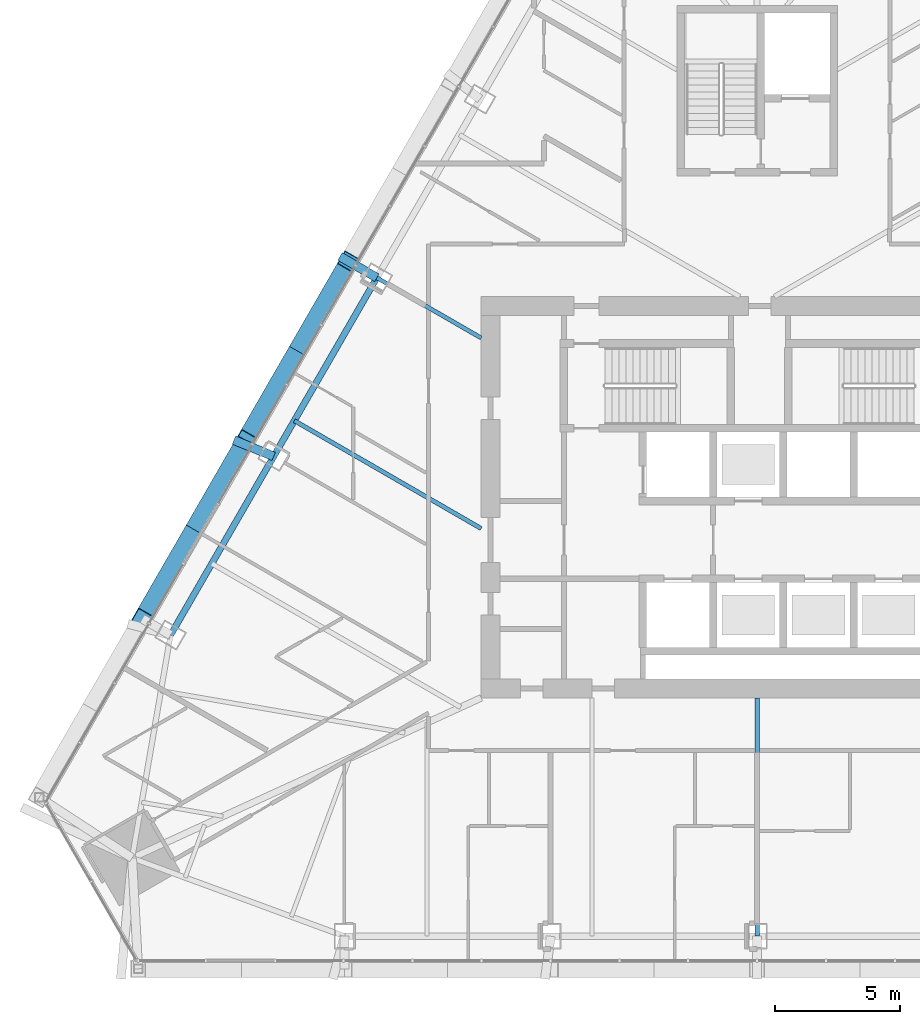
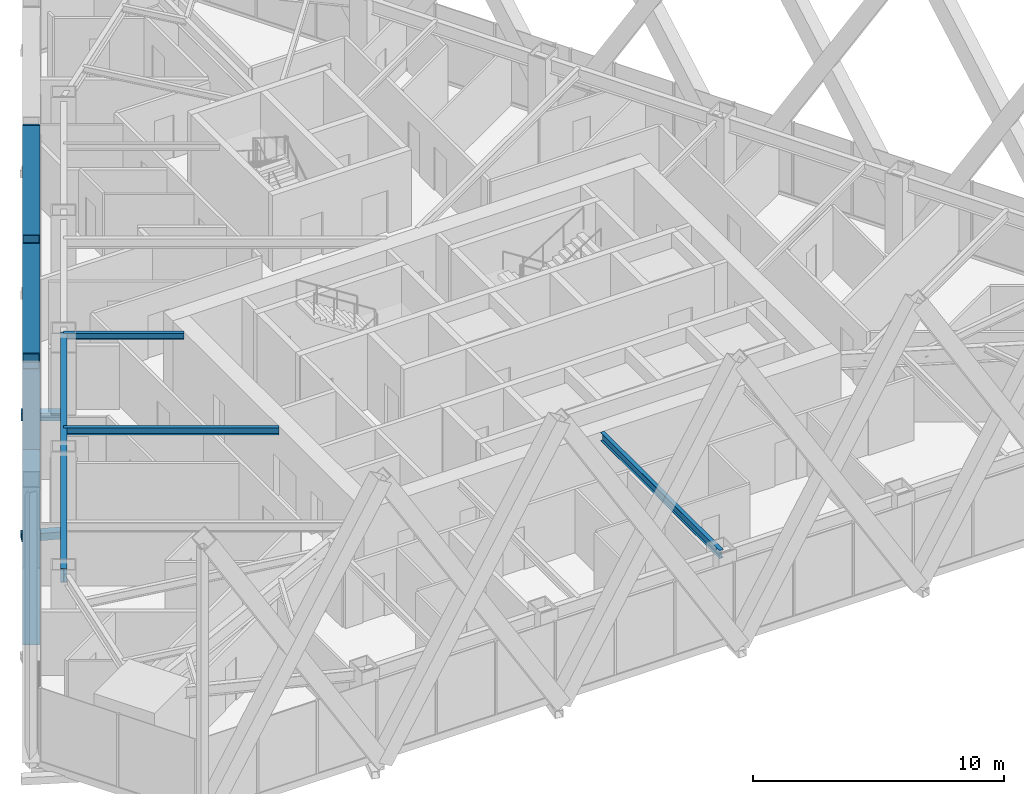
# One storey, part 4 of 19: 6 members, 4 beams.
"""IFC4 building model written with IfcOpenShell, lengths in metres."""

from ifc_helpers import new_model, si_unit, direction, frame, origin, origin_2d, place, context, subcontext, project, spatial, hollow_rectangle, i_section, extrude, material, material_profile, profile_set, type_object, element, save


model = new_model("IFC4")

# Units and contexts
model_context = context("Model", 3, precision=1e-05, world=origin(), true_north=direction((0.0, 1.0)))
body_context = subcontext(model_context, "Body", "Model", "MODEL_VIEW")
ifc_project = project(units=[si_unit("LENGTHUNIT", "METRE"), si_unit("AREAUNIT", "SQUARE_METRE"), si_unit("VOLUMEUNIT", "CUBIC_METRE"), si_unit("PLANEANGLEUNIT", "RADIAN"), si_unit("MASSUNIT", "GRAM", prefix="KILO")], contexts=[model_context])

# Site, building, storey
site_placement = place(None, origin())
site = spatial("IfcSite", under=ifc_project, at=site_placement, CompositionType="ELEMENT")
building_placement = place(site_placement, origin())
building = spatial("IfcBuilding", under=site, at=building_placement, Name="Firuza Gate Tower and Library", CompositionType="ELEMENT")
storey_placement = place(building_placement, frame((0.0, 0.0, 233.800048828125)))
storey = spatial("IfcBuildingStorey", under=building, at=storey_placement, Name="L55", CompositionType="ELEMENT", Elevation=233.800048828125)

# Members
ifc_material_1 = material(Name="Steel S355", Category="steel")
ifc_material_profile_1 = material_profile(ifc_material_1, hollow_rectangle(XDim=0.699951171875, YDim=0.699951171875, WallThickness=0.030029296875, at=origin_2d()))
ifc_profile_set_1 = profile_set([ifc_material_profile_1], Name="Steel S355")
member_type_1 = type_object("IfcMemberType", Name="BU700x700x30 Lattice brace", PredefinedType="BRACE", material=ifc_profile_set_1)
for number, where, z_axis, x_axis, name in (
    (1, (58.71533203125, 84.402099609375, 0.0), (-0.256001119482, -0.443405002033, 0.858985116865), (0.866024454709, -0.500001643842, 0.0), "Lattice brace W 13.4R"),
    (2, (54.6025390625, 77.278564453125, 0.0), (0.256001119482, 0.443405002033, 0.858985116865), (-0.866024454709, 0.500001643842, 0.0), "Lattice brace W 13.4L"),
    (3, (54.6025390625, 77.278564453125, 0.0), (-0.256001119482, -0.443405002033, 0.858985116865), (0.866024454709, -0.500001643842, 0.0), "Lattice brace W 13.5R"),
    (4, (50.48974609375, 70.155029296875, 0.0), (0.256001119482, 0.443405002033, 0.858985116865), (-0.866024454709, 0.500001643842, 0.0), "Lattice brace W 13.5L"),
):
    element("IfcMember", number, at=place(storey_placement, frame(where, z_axis=z_axis, x_axis=x_axis)), inside=storey, type_object=member_type_1, Name=name, PredefinedType="BRACE", context=body_context, shape_type="SweptSolid", body=[
        extrude(hollow_rectangle(XDim=0.699951171875, YDim=0.699951171875, WallThickness=0.030029296875, at=origin_2d()), origin(), (0.0, 0.0, 1.0), 16.0654296875),
    ])
ifc_material_2 = material(Name="Steel S355", Category="steel")
ifc_material_profile_2 = material_profile(ifc_material_2, hollow_rectangle(XDim=0.355712890625, YDim=0.355712890625, WallThickness=0.014892578125, at=origin_2d()))
ifc_profile_set_2 = profile_set([ifc_material_profile_2], Name="Steel S355")
member_type_2 = type_object("IfcMemberType", Name="HSS356x356x16 Lattice node tie", PredefinedType="BRACE", material=ifc_profile_set_2)
member_1_placement = place(storey_placement, frame((55.728271484375, 76.62841796875, -0.320068359375), z_axis=(-0.925269902354, 0.379309382692, 0.0), x_axis=(-0.379309382692, -0.925269902354, 0.0)))
element("IfcMember", 5, at=member_1_placement, inside=storey, type_object=member_type_2, Name="Lattice node tie W L55 315", PredefinedType="BRACE", context=body_context, shape_type="SweptSolid", body=[
    extrude(hollow_rectangle(XDim=0.355712890625, YDim=0.355712890625, WallThickness=0.014892578125, at=origin_2d()), origin(), (0.0, 0.0, 1.0), 1.714111328125),
])
member_2_placement = place(storey_placement, frame((59.841064453125, 83.751953125, -0.320068359375), z_axis=(-0.865996484538, 0.500050086259, 0.0), x_axis=(-0.500050086259, -0.865996484538, 0.0)))
element("IfcMember", 6, at=member_2_placement, inside=storey, type_object=member_type_2, Name="Lattice node tie W L55 316", PredefinedType="BRACE", context=body_context, shape_type="SweptSolid", body=[
    extrude(hollow_rectangle(XDim=0.355712890625, YDim=0.355712890625, WallThickness=0.014892578125, at=origin_2d()), origin(), (0.0, 0.0, 1.0), 1.698486328125),
])

# Beams
ifc_material_3 = material(Name="Steel S355", Category="steel")
ifc_material_profile_3 = material_profile(ifc_material_3, i_section(OverallWidth=0.1650390625, OverallDepth=0.31005859375, WebThickness=0.005859375, FlangeThickness=0.009765625, at=origin_2d()))
ifc_profile_set_3 = profile_set([ifc_material_profile_3], Name="Steel S355")
beam_type_1 = type_object("IfcBeamType", Name="W310x39 Floor beam", PredefinedType="JOIST", material=ifc_profile_set_3)
beam_1_placement = place(storey_placement, frame((59.841064453125, 83.751953125, 3.544921875), z_axis=(0.866028966346, -0.499993829411, 0.0), x_axis=(0.499993829411, 0.866028966346, 0.0)))
element("IfcBeam", 7, at=beam_1_placement, inside=storey, type_object=beam_type_1, Name="Floor beam L55 s82", PredefinedType="JOIST", context=body_context, shape_type="SweptSolid", body=[
    extrude(i_section(OverallWidth=0.1650390625, OverallDepth=0.31005859375, WebThickness=0.005859375, FlangeThickness=0.009765625, at=origin_2d()), origin(), (0.0, 0.0, 1.0), 4.80224609375),
])
ifc_material_4 = material(Name="Steel S355", Category="steel")
ifc_material_profile_4 = material_profile(ifc_material_4, i_section(OverallWidth=0.1708984375, OverallDepth=0.35498046875, WebThickness=0.007080078125, FlangeThickness=0.01171875, at=origin_2d()))
ifc_profile_set_4 = profile_set([ifc_material_profile_4], Name="Steel S355")
beam_type_2 = type_object("IfcBeamType", Name="W360x51 Floor beam", PredefinedType="JOIST", material=ifc_profile_set_4)
beam_2_placement = place(storey_placement, frame((56.55078125, 78.05322265625, 3.5224609375), z_axis=(0.866026773083, -0.499997628298, 0.0), x_axis=(0.499997628298, 0.866026773083, 0.0)))
element("IfcBeam", 8, at=beam_2_placement, inside=storey, type_object=beam_type_2, Name="Floor beam L55 s83", PredefinedType="JOIST", context=body_context, shape_type="SweptSolid", body=[
    extrude(i_section(OverallWidth=0.1708984375, OverallDepth=0.35498046875, WebThickness=0.007080078125, FlangeThickness=0.01171875, at=origin_2d()), origin(), (0.0, 0.0, 1.0), 8.6015625),
])
ifc_material_5 = material(Name="Steel S355", Category="steel")
ifc_material_profile_5 = material_profile(ifc_material_5, i_section(OverallWidth=0.177978515625, OverallDepth=0.406982421875, WebThickness=0.0078125, FlangeThickness=0.0126953125, at=origin_2d()))
ifc_profile_set_5 = profile_set([ifc_material_profile_5], Name="Steel S355")
beam_type_3 = type_object("IfcBeamType", Name="W410x60 Floor beam", PredefinedType="JOIST", material=ifc_profile_set_5)
beam_3_placement = place(storey_placement, frame((75.0, 57.49609375, 3.496337890625), z_axis=(0.0, 1.0, 0.0), x_axis=(-1.0, 0.0, 0.0)))
element("IfcBeam", 9, at=beam_3_placement, inside=storey, type_object=beam_type_3, Name="Floor beam L55 s22", PredefinedType="JOIST", context=body_context, shape_type="SweptSolid", body=[
    extrude(i_section(OverallWidth=0.177978515625, OverallDepth=0.406982421875, WebThickness=0.0078125, FlangeThickness=0.0126953125, at=origin_2d()), origin(), (0.0, 0.0, 1.0), 9.50390625),
])
ifc_material_6 = material(Name="Steel S355", Category="steel")
ifc_material_profile_6 = material_profile(ifc_material_6, i_section(OverallWidth=0.2529296875, OverallDepth=0.677978515625, WebThickness=0.01171875, FlangeThickness=0.016357421875, at=origin_2d()))
ifc_profile_set_6 = profile_set([ifc_material_profile_6], Name="Steel S355")
beam_type_4 = type_object("IfcBeamType", Name="W690x125 Edge beam", PredefinedType="SPANDREL", material=ifc_profile_set_6)
beam_4_placement = place(storey_placement, frame((59.841064453125, 83.751953125, 3.36083984375), z_axis=(-0.500001643842, -0.866024454709, 0.0), x_axis=(0.866024454709, -0.500001643842, 0.0)))
element("IfcBeam", 10, at=beam_4_placement, inside=storey, type_object=beam_type_4, Name="Edge beam L55 e82", PredefinedType="SPANDREL", context=body_context, shape_type="SweptSolid", body=[
    extrude(i_section(OverallWidth=0.2529296875, OverallDepth=0.677978515625, WebThickness=0.01171875, FlangeThickness=0.016357421875, at=origin_2d()), origin(), (0.0, 0.0, 1.0), 16.451171875),
])

save(model, "model.ifc")
